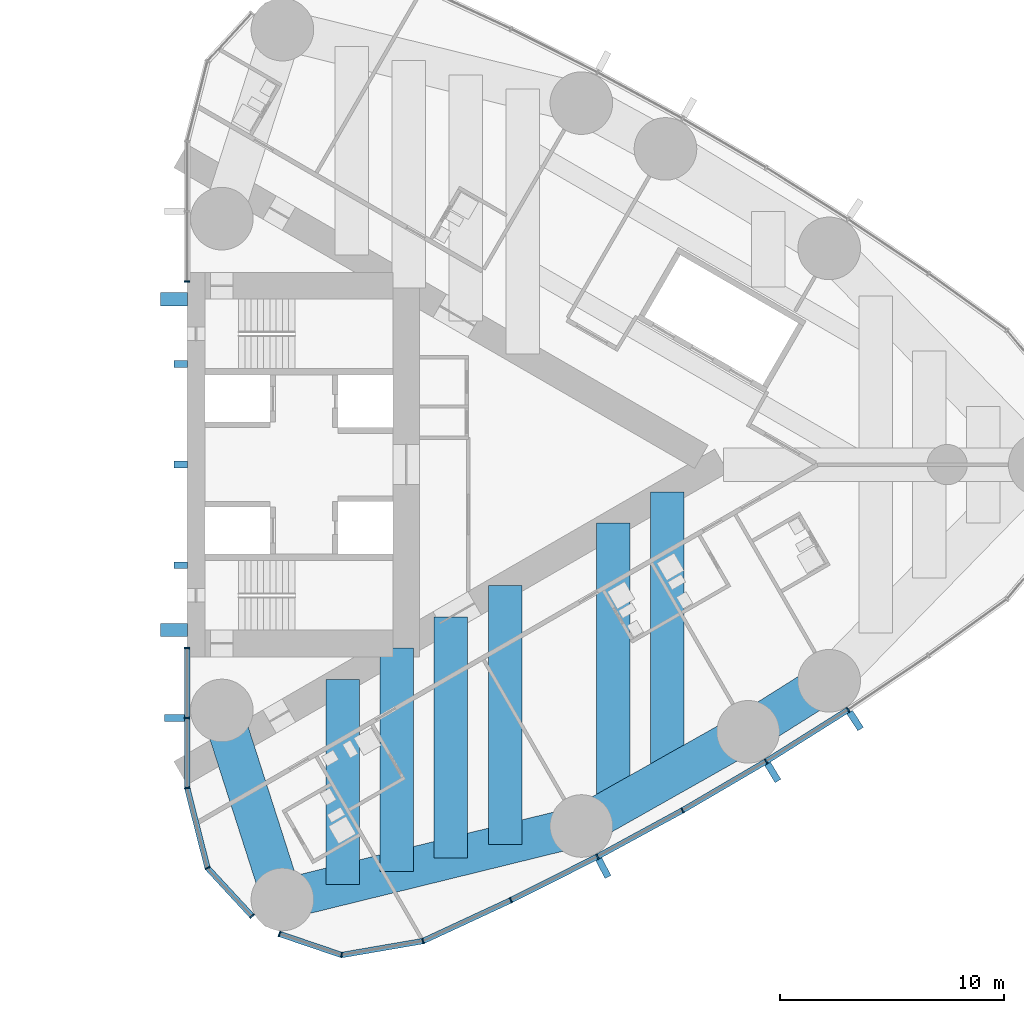
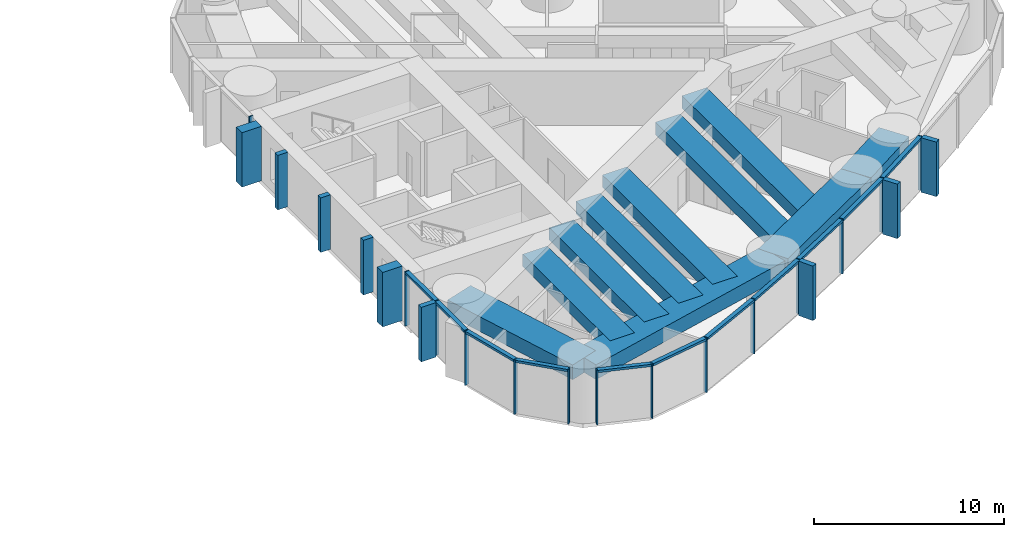
# One storey, part 6 of 19: 34 members, 10 beams, 3 elements without a shape of their own.
"""IFC4 building model written with IfcOpenShell, lengths in metres."""

from ifc_helpers import new_model, si_unit, direction, frame, origin, origin_2d, place, context, subcontext, project, spatial, rectangle, extrude, material, material_profile, profile_set, type_object, element, aggregate, save


model = new_model("IFC4")

# Units and contexts
model_context = context("Model", 3, precision=1e-05, world=origin(), true_north=direction((0.0, 1.0)))
body_context = subcontext(model_context, "Body", "Model", "MODEL_VIEW")
ifc_project = project(units=[si_unit("LENGTHUNIT", "METRE"), si_unit("AREAUNIT", "SQUARE_METRE"), si_unit("VOLUMEUNIT", "CUBIC_METRE"), si_unit("PLANEANGLEUNIT", "RADIAN"), si_unit("MASSUNIT", "GRAM", prefix="KILO")], contexts=[model_context])

# Site, building, storey
site_placement = place(None, origin())
site = spatial("IfcSite", under=ifc_project, at=site_placement, CompositionType="ELEMENT")
building_placement = place(site_placement, origin())
building = spatial("IfcBuilding", under=site, at=building_placement, Name="Lancet Gate Hotel", CompositionType="ELEMENT")
storey_placement = place(building_placement, frame((0.0, 0.0, 173.800048828125)))
storey = spatial("IfcBuildingStorey", under=building, at=storey_placement, Name="L46", CompositionType="ELEMENT", Elevation=173.800048828125)

# Curtain wall, members
ifc_material_1 = material(Name="Aluminium curtain wall", Category="aluminium")
curtain_wall_type = type_object("IfcCurtainWallType", Name="Tower unitised curtain wall", PredefinedType="USERDEFINED", material=ifc_material_1)
curtain_wall_1_placement = place(storey_placement, origin())
curtain_wall_1 = element("IfcCurtainWall", 1, at=curtain_wall_1_placement, inside=storey, type_object=curtain_wall_type, Name="T2 L46 curtain wall 1", ObjectType="UNITISED CURTAIN WALL", PredefinedType="USERDEFINED")
ifc_material_2 = material(Name="Aluminium mullion", Category="aluminium")
ifc_material_profile_1 = material_profile(ifc_material_2, rectangle(XDim=0.06494140625, YDim=0.25, at=origin_2d()), Name="MULLION 65x250")
ifc_profile_set_1 = profile_set([ifc_material_profile_1], Name="Aluminium mullion")
member_type_1 = type_object("IfcMemberType", Name="Aluminium mullion 65x250", PredefinedType="MULLION", material=ifc_profile_set_1)
member_1_placement = place(storey_placement, frame((27.5, -8.199951171875, 0.0), z_axis=(0.0, 0.0, 1.0), x_axis=(0.0, -1.0, 0.0)))
member_1 = element("IfcMember", 2, at=member_1_placement, type_object=member_type_1, Name="T2 L46 curtain wall 1 mullion 1", PredefinedType="MULLION", context=body_context, shape_type="SweptSolid", body=[
    extrude(rectangle(XDim=0.06494140625, YDim=0.25, at=origin_2d()), origin(), (0.0, 0.0, 1.0), 3.5),
])
member_2_placement = place(storey_placement, frame((27.5, -11.332763671875, 0.0), z_axis=(0.0, 0.0, 1.0), x_axis=(0.0, -1.0, 0.0)))
member_2 = element("IfcMember", 3, at=member_2_placement, type_object=member_type_1, Name="T2 L46 curtain wall 1 mullion 2", PredefinedType="MULLION", context=body_context, shape_type="SweptSolid", body=[
    extrude(rectangle(XDim=0.06494140625, YDim=0.25, at=origin_2d()), origin(), (0.0, 0.0, 1.0), 3.5),
])
member_3_placement = place(storey_placement, frame((27.5, -14.465576171875, 0.0), z_axis=(0.0, 0.0, 1.0), x_axis=(0.134206524909, -0.990953383703, 0.0)))
member_3 = element("IfcMember", 4, at=member_3_placement, type_object=member_type_1, Name="T2 L46 curtain wall 1 mullion 3", PredefinedType="MULLION", context=body_context, shape_type="SweptSolid", body=[
    extrude(rectangle(XDim=0.06494140625, YDim=0.25, at=origin_2d()), origin(), (0.0, 0.0, 1.0), 3.5),
])
member_4_placement = place(storey_placement, frame((28.408935546875, -18.04443359375, 0.0), z_axis=(0.0, 0.0, 1.0), x_axis=(0.451505925065, -0.892268120932, 0.0)))
member_4 = element("IfcMember", 5, at=member_4_placement, type_object=member_type_1, Name="T2 L46 curtain wall 1 mullion 4", PredefinedType="MULLION", context=body_context, shape_type="SweptSolid", body=[
    extrude(rectangle(XDim=0.06494140625, YDim=0.25, at=origin_2d()), origin(), (0.0, 0.0, 1.0), 3.5),
])
member_5_placement = place(storey_placement, frame((30.40185546875, -20.199951171875, 0.0), z_axis=(0.0, 0.0, 1.0), x_axis=(0.67883123083, -0.734294327943, 0.0)))
member_5 = element("IfcMember", 6, at=member_5_placement, type_object=member_type_1, Name="T2 L46 curtain wall 1 mullion 5", PredefinedType="MULLION", context=body_context, shape_type="SweptSolid", body=[
    extrude(rectangle(XDim=0.06494140625, YDim=0.25, at=origin_2d()), origin(), (0.0, 0.0, 1.0), 3.5),
])

curtain_wall_2_placement = place(storey_placement, origin())
curtain_wall_2 = element("IfcCurtainWall", 7, at=curtain_wall_2_placement, inside=storey, type_object=curtain_wall_type, Name="T2 L46 curtain wall 2", ObjectType="UNITISED CURTAIN WALL", PredefinedType="USERDEFINED")
member_6_placement = place(storey_placement, frame((31.631591796875, -20.998779296875, 0.0), z_axis=(0.0, 0.0, 1.0), x_axis=(0.946952368511, -0.321373943827, 0.0)))
member_6 = element("IfcMember", 8, at=member_6_placement, type_object=member_type_1, Name="T2 L46 curtain wall 2 mullion 1", PredefinedType="MULLION", context=body_context, shape_type="SweptSolid", body=[
    extrude(rectangle(XDim=0.06494140625, YDim=0.25, at=origin_2d()), origin(), (0.0, 0.0, 1.0), 3.5),
])
member_7_placement = place(storey_placement, frame((34.412109375, -21.9423828125, 0.0), z_axis=(0.0, 0.0, 1.0), x_axis=(0.99877556888, -0.049470829879, 0.0)))
member_7 = element("IfcMember", 9, at=member_7_placement, type_object=member_type_1, Name="T2 L46 curtain wall 2 mullion 2", PredefinedType="MULLION", context=body_context, shape_type="SweptSolid", body=[
    extrude(rectangle(XDim=0.06494140625, YDim=0.25, at=origin_2d()), origin(), (0.0, 0.0, 1.0), 3.5),
])
member_8_placement = place(storey_placement, frame((38.05126953125, -21.31689453125, 0.0), z_axis=(0.0, 0.0, 1.0), x_axis=(0.951355493327, 0.308095318555, 0.0)))
member_8 = element("IfcMember", 10, at=member_8_placement, type_object=member_type_1, Name="T2 L46 curtain wall 2 mullion 3", PredefinedType="MULLION", context=body_context, shape_type="SweptSolid", body=[
    extrude(rectangle(XDim=0.06494140625, YDim=0.25, at=origin_2d()), origin(), (0.0, 0.0, 1.0), 3.5),
])
member_9_placement = place(storey_placement, frame((41.98193359375, -19.490966796875, 0.0), z_axis=(0.0, 0.0, 1.0), x_axis=(0.900141333422, 0.435597956681, 0.0)))
member_9 = element("IfcMember", 11, at=member_9_placement, type_object=member_type_1, Name="T2 L46 curtain wall 2 mullion 4", PredefinedType="MULLION", context=body_context, shape_type="SweptSolid", body=[
    extrude(rectangle(XDim=0.06494140625, YDim=0.25, at=origin_2d()), origin(), (0.0, 0.0, 1.0), 3.5),
])
member_10_placement = place(storey_placement, frame((45.8525390625, -17.54150390625, 0.0), z_axis=(0.0, 0.0, 1.0), x_axis=(0.885877049989, 0.463920092584, 0.0)))
member_10 = element("IfcMember", 12, at=member_10_placement, type_object=member_type_1, Name="T2 L46 curtain wall 2 mullion 5", PredefinedType="MULLION", context=body_context, shape_type="SweptSolid", body=[
    extrude(rectangle(XDim=0.06494140625, YDim=0.25, at=origin_2d()), origin(), (0.0, 0.0, 1.0), 3.5),
])
member_11_placement = place(storey_placement, frame((49.65966796875, -15.47021484375, 0.0), z_axis=(0.0, 0.0, 1.0), x_axis=(0.870721916932, 0.491775704336, 0.0)))
member_11 = element("IfcMember", 13, at=member_11_placement, type_object=member_type_1, Name="T2 L46 curtain wall 2 mullion 6", PredefinedType="MULLION", context=body_context, shape_type="SweptSolid", body=[
    extrude(rectangle(XDim=0.06494140625, YDim=0.25, at=origin_2d()), origin(), (0.0, 0.0, 1.0), 3.5),
])
member_12_placement = place(storey_placement, frame((53.39892578125, -13.279541015625, 0.0), z_axis=(0.0, 0.0, 1.0), x_axis=(0.854691174453, 0.519136779965, 0.0)))
member_12 = element("IfcMember", 14, at=member_12_placement, type_object=member_type_1, Name="T2 L46 curtain wall 2 mullion 7", PredefinedType="MULLION", context=body_context, shape_type="SweptSolid", body=[
    extrude(rectangle(XDim=0.06494140625, YDim=0.25, at=origin_2d()), origin(), (0.0, 0.0, 1.0), 3.5),
])
member_13_placement = place(storey_placement, frame((57.067138671875, -10.970947265625, 0.0), z_axis=(0.0, 0.0, 1.0), x_axis=(0.837800943278, 0.545975804815, 0.0)))
member_13 = element("IfcMember", 15, at=member_13_placement, type_object=member_type_1, Name="T2 L46 curtain wall 2 mullion 8", PredefinedType="MULLION", context=body_context, shape_type="SweptSolid", body=[
    extrude(rectangle(XDim=0.06494140625, YDim=0.25, at=origin_2d()), origin(), (0.0, 0.0, 1.0), 3.5),
])

# Curtain wall, member
curtain_wall_3_placement = place(storey_placement, origin())
curtain_wall_3 = element("IfcCurtainWall", 16, at=curtain_wall_3_placement, inside=storey, type_object=curtain_wall_type, Name="T2 L46 curtain wall 4", ObjectType="UNITISED CURTAIN WALL", PredefinedType="USERDEFINED")
member_14_placement = place(storey_placement, frame((27.5, 8.199951171875, 0.0), z_axis=(0.0, 0.0, 1.0), x_axis=(0.0, -1.0, 0.0)))
member_14 = element("IfcMember", 17, at=member_14_placement, type_object=member_type_1, Name="T2 L46 curtain wall 4 mullion 5", PredefinedType="MULLION", context=body_context, shape_type="SweptSolid", body=[
    extrude(rectangle(XDim=0.06494140625, YDim=0.25, at=origin_2d()), origin(), (0.0, 0.0, 1.0), 3.5),
])
aggregate(curtain_wall_3, [member_14])

# Member
ifc_material_3 = material(Name="Aluminium transom", Category="aluminium")
ifc_material_profile_2 = material_profile(ifc_material_3, rectangle(XDim=0.25, YDim=0.14990234375, at=origin_2d()), Name="TRANSOM 250x150")
ifc_profile_set_2 = profile_set([ifc_material_profile_2], Name="Aluminium transom")
member_type_2 = type_object("IfcMemberType", Name="Aluminium transom 250x150", PredefinedType="USERDEFINED", material=ifc_profile_set_2)
member_15_placement = place(storey_placement, frame((27.5, -8.232421875, 3.425048828125), z_axis=(0.0, -1.0, 0.0), x_axis=(1.0, 0.0, 0.0)))
member_15 = element("IfcMember", 18, at=member_15_placement, type_object=member_type_2, Name="T2 L46 curtain wall 1 transom 1", ObjectType="TRANSOM", PredefinedType="USERDEFINED", context=body_context, shape_type="SweptSolid", body=[
    extrude(rectangle(XDim=0.25, YDim=0.14990234375, at=origin_2d()), origin(), (0.0, 0.0, 1.0), 3.06787109375),
])

member_16_placement = place(storey_placement, frame((27.5, -11.365234375, 3.425048828125), z_axis=(0.0, -1.0, 0.0), x_axis=(1.0, 0.0, 0.0)))
member_16 = element("IfcMember", 19, at=member_16_placement, type_object=member_type_2, Name="T2 L46 curtain wall 1 transom 2", ObjectType="TRANSOM", PredefinedType="USERDEFINED", context=body_context, shape_type="SweptSolid", body=[
    extrude(rectangle(XDim=0.25, YDim=0.14990234375, at=origin_2d()), origin(), (0.0, 0.0, 1.0), 3.06787109375),
])

member_17_placement = place(storey_placement, frame((27.508056640625, -14.4970703125, 3.425048828125), z_axis=(0.246128756616, -0.969237140831, 0.0), x_axis=(0.969237140831, 0.246128756616, 0.0)))
member_17 = element("IfcMember", 20, at=member_17_placement, type_object=member_type_2, Name="T2 L46 curtain wall 1 transom 3", ObjectType="TRANSOM", PredefinedType="USERDEFINED", context=body_context, shape_type="SweptSolid", body=[
    extrude(rectangle(XDim=0.25, YDim=0.14990234375, at=origin_2d()), origin(), (0.0, 0.0, 1.0), 3.62744140625),
])

member_18_placement = place(storey_placement, frame((28.43115234375, -18.068359375, 3.425048828125), z_axis=(0.678792146129, -0.734330458549, 0.0), x_axis=(0.734330458549, 0.678792146129, 0.0)))
member_18 = element("IfcMember", 21, at=member_18_placement, type_object=member_type_2, Name="T2 L46 curtain wall 1 transom 4", ObjectType="TRANSOM", PredefinedType="USERDEFINED", context=body_context, shape_type="SweptSolid", body=[
    extrude(rectangle(XDim=0.25, YDim=0.14990234375, at=origin_2d()), origin(), (0.0, 0.0, 1.0), 2.87060546875),
])

member_19_placement = place(storey_placement, frame((31.662353515625, -21.00927734375, 3.425048828125), z_axis=(0.946943122832, -0.321401185625, 0.0), x_axis=(0.321401185625, 0.946943122832, 0.0)))
member_19 = element("IfcMember", 22, at=member_19_placement, type_object=member_type_2, Name="T2 L46 curtain wall 2 transom 1", ObjectType="TRANSOM", PredefinedType="USERDEFINED", context=body_context, shape_type="SweptSolid", body=[
    extrude(rectangle(XDim=0.25, YDim=0.14990234375, at=origin_2d()), origin(), (0.0, 0.0, 1.0), 2.871337890625),
])

member_20_placement = place(storey_placement, frame((34.444091796875, -21.93701171875, 3.425048828125), z_axis=(0.985536950873, 0.169460669373, 0.0), x_axis=(-0.169460669373, 0.985536950873, 0.0)))
member_20 = element("IfcMember", 23, at=member_20_placement, type_object=member_type_2, Name="T2 L46 curtain wall 2 transom 2", ObjectType="TRANSOM", PredefinedType="USERDEFINED", context=body_context, shape_type="SweptSolid", body=[
    extrude(rectangle(XDim=0.25, YDim=0.14990234375, at=origin_2d()), origin(), (0.0, 0.0, 1.0), 3.627685546875),
])

member_21_placement = place(storey_placement, frame((38.080810546875, -21.30322265625, 3.425048828125), z_axis=(0.906913768492, 0.421316290357, 0.0), x_axis=(-0.421316290357, 0.906913768492, 0.0)))
member_21 = element("IfcMember", 24, at=member_21_placement, type_object=member_type_2, Name="T2 L46 curtain wall 2 transom 3", ObjectType="TRANSOM", PredefinedType="USERDEFINED", context=body_context, shape_type="SweptSolid", body=[
    extrude(rectangle(XDim=0.25, YDim=0.14990234375, at=origin_2d()), origin(), (0.0, 0.0, 1.0), 4.26904296875),
])

member_22_placement = place(storey_placement, frame((42.010986328125, -19.476318359375, 3.425048828125), z_axis=(0.893130969207, 0.449796700571, 0.0), x_axis=(-0.449796700571, 0.893130969207, 0.0)))
member_22 = element("IfcMember", 25, at=member_22_placement, type_object=member_type_2, Name="T2 L46 curtain wall 2 transom 4", ObjectType="TRANSOM", PredefinedType="USERDEFINED", context=body_context, shape_type="SweptSolid", body=[
    extrude(rectangle(XDim=0.25, YDim=0.14990234375, at=origin_2d()), origin(), (0.0, 0.0, 1.0), 4.26904296875),
])

member_23_placement = place(storey_placement, frame((45.881103515625, -17.526123046875, 3.425048828125), z_axis=(0.878404302735, 0.477918278513, 0.0), x_axis=(-0.477918278513, 0.878404302735, 0.0)))
member_23 = element("IfcMember", 26, at=member_23_placement, type_object=member_type_2, Name="T2 L46 curtain wall 2 transom 5", ObjectType="TRANSOM", PredefinedType="USERDEFINED", context=body_context, shape_type="SweptSolid", body=[
    extrude(rectangle(XDim=0.25, YDim=0.14990234375, at=origin_2d()), origin(), (0.0, 0.0, 1.0), 4.26904296875),
])

member_24_placement = place(storey_placement, frame((49.687744140625, -15.453857421875, 3.425048828125), z_axis=(0.862825279032, 0.505502262966, 0.0), x_axis=(-0.505502262966, 0.862825279032, 0.0)))
member_24 = element("IfcMember", 27, at=member_24_placement, type_object=member_type_2, Name="T2 L46 curtain wall 2 transom 6", ObjectType="TRANSOM", PredefinedType="USERDEFINED", context=body_context, shape_type="SweptSolid", body=[
    extrude(rectangle(XDim=0.25, YDim=0.14990234375, at=origin_2d()), origin(), (0.0, 0.0, 1.0), 4.26904296875),
])

member_25_placement = place(storey_placement, frame((53.426513671875, -13.26220703125, 3.425048828125), z_axis=(0.846333101657, 0.532653997488, 0.0), x_axis=(-0.532653997488, 0.846333101657, 0.0)))
member_25 = element("IfcMember", 28, at=member_25_placement, type_object=member_type_2, Name="T2 L46 curtain wall 2 transom 7", ObjectType="TRANSOM", PredefinedType="USERDEFINED", context=body_context, shape_type="SweptSolid", body=[
    extrude(rectangle(XDim=0.25, YDim=0.14990234375, at=origin_2d()), origin(), (0.0, 0.0, 1.0), 4.26904296875),
])

# Beams
ifc_material_4 = material(Name="Concrete C50/60", Category="concrete")
ifc_material_profile_3 = material_profile(ifc_material_4, rectangle(XDim=1.800048828125, YDim=0.949951171875, at=origin_2d()), Name="RC 1800x950")
ifc_profile_set_3 = profile_set([ifc_material_profile_3], Name="Concrete C50/60")
beam_type_1 = type_object("IfcBeamType", Name="Edge beam RC 1800x950", PredefinedType="SPANDREL", material=ifc_profile_set_3)
beam_1_placement = place(storey_placement, frame((31.759765625, -19.455810546875, 2.77490234375), z_axis=(0.971093253227, 0.238700426344, 0.0), x_axis=(-0.238700426344, 0.971093253227, 0.0)))
element("IfcBeam", 29, at=beam_1_placement, inside=storey, type_object=beam_type_1, Name="T2 edge beam EB1 L46", PredefinedType="SPANDREL", context=body_context, shape_type="SweptSolid", body=[
    extrude(rectangle(XDim=1.800048828125, YDim=0.949951171875, at=origin_2d()), origin(), (0.0, 0.0, 1.0), 13.77197265625),
])
beam_2_placement = place(storey_placement, frame((45.133544921875, -16.16845703125, 2.77490234375), z_axis=(0.870721990329, 0.491775574381, 0.0), x_axis=(-0.491775574381, 0.870721990329, 0.0)))
element("IfcBeam", 30, at=beam_2_placement, inside=storey, type_object=beam_type_1, Name="T2 edge beam EB1 L46", PredefinedType="SPANDREL", context=body_context, shape_type="SweptSolid", body=[
    extrude(rectangle(XDim=1.800048828125, YDim=0.949951171875, at=origin_2d()), origin(), (0.0, 0.0, 1.0), 8.568603515625),
])
beam_3_placement = place(storey_placement, frame((52.594482421875, -11.95458984375, 2.77490234375), z_axis=(0.846348902569, 0.532628890617, 0.0), x_axis=(-0.532628890617, 0.846348902569, 0.0)))
element("IfcBeam", 31, at=beam_3_placement, inside=storey, type_object=beam_type_1, Name="T2 edge beam EB1 L46", PredefinedType="SPANDREL", context=body_context, shape_type="SweptSolid", body=[
    extrude(rectangle(XDim=1.800048828125, YDim=0.949951171875, at=origin_2d()), origin(), (0.0, 0.0, 1.0), 4.284912109375),
])
beam_4_placement = place(storey_placement, frame((31.759765625, -19.455810546875, 2.77490234375), z_axis=(-0.305169772986, 0.952297962644, 0.0), x_axis=(-0.952297962644, -0.305169772986, 0.0)))
element("IfcBeam", 32, at=beam_4_placement, inside=storey, type_object=beam_type_1, Name="T2 edge beam EB1 L46", PredefinedType="SPANDREL", context=body_context, shape_type="SweptSolid", body=[
    extrude(rectangle(XDim=1.800048828125, YDim=0.949951171875, at=origin_2d()), origin(), (0.0, 0.0, 1.0), 8.87939453125),
])

# Members
ifc_material_5 = material(Name="Concrete C60/75", Category="concrete")
ifc_material_profile_4 = material_profile(ifc_material_5, rectangle(XDim=0.60009765625, YDim=1.199951171875, at=origin_2d()), Name="FIN 600x1200")
ifc_profile_set_4 = profile_set([ifc_material_profile_4], Name="Concrete C60/75")
member_type_3 = type_object("IfcMemberType", Name="Exposed concrete buttress pilaster 600x1200", PredefinedType="USERDEFINED", material=ifc_profile_set_4)
for number, where, z_axis, x_axis, name in (
    (33, (26.909912109375, -7.39990234375, 0.0), (0.0, 0.0, 1.0), (0.0, 1.0, 0.0), "T2 buttress pilaster S L46"),
    (34, (26.909912109375, 7.39990234375, 0.0), (0.0, 0.0, 1.0), (0.0, 1.0, 0.0), "T2 buttress pilaster N L46"),
):
    element("IfcMember", number, at=place(storey_placement, frame(where, z_axis=z_axis, x_axis=x_axis)), inside=storey, type_object=member_type_3, Name=name, ObjectType="FIN", PredefinedType="USERDEFINED", context=body_context, shape_type="SweptSolid", body=[
        extrude(rectangle(XDim=0.60009765625, YDim=1.199951171875, at=origin_2d()), origin(), (0.0, 0.0, 1.0), 3.5),
    ])

# Member
ifc_material_6 = material(Name="Precast concrete C50/60", Category="concrete")
ifc_material_profile_5 = material_profile(ifc_material_6, rectangle(XDim=0.300048828125, YDim=0.89990234375, at=origin_2d()), Name="FIN 300x900")
ifc_profile_set_5 = profile_set([ifc_material_profile_5], Name="Precast concrete C50/60")
member_type_4 = type_object("IfcMemberType", Name="Exposed concrete fin 300x900", PredefinedType="USERDEFINED", material=ifc_profile_set_5)
member_26_placement = place(storey_placement, frame((26.925048828125, -11.332763671875, 0.0), z_axis=(0.0, 0.0, 1.0), x_axis=(0.0, -1.0, 0.0)))
member_26 = element("IfcMember", 35, at=member_26_placement, type_object=member_type_4, Name="T2 L46 curtain wall 1 fin 2", ObjectType="FIN", PredefinedType="USERDEFINED", context=body_context, shape_type="SweptSolid", body=[
    extrude(rectangle(XDim=0.300048828125, YDim=0.89990234375, at=origin_2d()), origin(), (0.0, 0.0, 1.0), 3.5),
])

aggregate(curtain_wall_1, [member_1, member_2, member_26, member_3, member_4, member_5, member_15, member_16, member_17, member_18])

member_27_placement = place(storey_placement, frame((46.119384765625, -18.051025390625, 0.0), z_axis=(0.0, 0.0, 1.0), x_axis=(0.885877049989, 0.463920092584, 0.0)))
member_27 = element("IfcMember", 36, at=member_27_placement, type_object=member_type_4, Name="T2 L46 curtain wall 2 fin 5", ObjectType="FIN", PredefinedType="USERDEFINED", context=body_context, shape_type="SweptSolid", body=[
    extrude(rectangle(XDim=0.300048828125, YDim=0.89990234375, at=origin_2d()), origin(), (0.0, 0.0, 1.0), 3.5),
])

member_28_placement = place(storey_placement, frame((53.697509765625, -13.770751953125, 0.0), z_axis=(0.0, 0.0, 1.0), x_axis=(0.854691174453, 0.519136779965, 0.0)))
member_28 = element("IfcMember", 37, at=member_28_placement, type_object=member_type_4, Name="T2 L46 curtain wall 2 fin 7", ObjectType="FIN", PredefinedType="USERDEFINED", context=body_context, shape_type="SweptSolid", body=[
    extrude(rectangle(XDim=0.300048828125, YDim=0.89990234375, at=origin_2d()), origin(), (0.0, 0.0, 1.0), 3.5),
])

member_29_placement = place(storey_placement, frame((57.381103515625, -11.452880859375, 0.0), z_axis=(0.0, 0.0, 1.0), x_axis=(0.837800943278, 0.545975804815, 0.0)))
member_29 = element("IfcMember", 38, at=member_29_placement, type_object=member_type_4, Name="T2 L46 curtain wall 2 fin 8", ObjectType="FIN", PredefinedType="USERDEFINED", context=body_context, shape_type="SweptSolid", body=[
    extrude(rectangle(XDim=0.300048828125, YDim=0.89990234375, at=origin_2d()), origin(), (0.0, 0.0, 1.0), 3.5),
])

aggregate(curtain_wall_2, [member_6, member_7, member_8, member_9, member_10, member_27, member_11, member_12, member_28, member_13, member_29, member_19, member_20, member_21, member_22, member_23, member_24, member_25])

# Members
ifc_material_7 = material(Name="Concrete C60/75", Category="concrete")
ifc_material_profile_6 = material_profile(ifc_material_7, rectangle(XDim=0.300048828125, YDim=0.60009765625, at=origin_2d()), Name="FIN 300x600")
ifc_profile_set_6 = profile_set([ifc_material_profile_6], Name="Concrete C60/75")
member_type_5 = type_object("IfcMemberType", Name="Exposed concrete rib 300x600", PredefinedType="USERDEFINED", material=ifc_profile_set_6)
for number, where, z_axis, x_axis, name in (
    (39, (27.2099609375, -4.5, 0.0), (0.0, 0.0, 1.0), (0.0, 1.0, 0.0), "T2 core rib 1 L46"),
    (40, (27.2099609375, 0.0, 0.0), (0.0, 0.0, 1.0), (0.0, 1.0, 0.0), "T2 core rib 2 L46"),
    (41, (27.2099609375, 4.5, 0.0), (0.0, 0.0, 1.0), (0.0, 1.0, 0.0), "T2 core rib 3 L46"),
):
    element("IfcMember", number, at=place(storey_placement, frame(where, z_axis=z_axis, x_axis=x_axis)), inside=storey, type_object=member_type_5, Name=name, ObjectType="FIN", PredefinedType="USERDEFINED", context=body_context, shape_type="SweptSolid", body=[
        extrude(rectangle(XDim=0.300048828125, YDim=0.60009765625, at=origin_2d()), origin(), (0.0, 0.0, 1.0), 3.5),
    ])

# Beams
ifc_material_8 = material(Name="Concrete C50/60", Category="concrete")
ifc_material_profile_7 = material_profile(ifc_material_8, rectangle(XDim=1.5, YDim=0.800048828125, at=origin_2d()), Name="RC 1500x800")
ifc_profile_set_7 = profile_set([ifc_material_profile_7], Name="Concrete C50/60")
beam_type_2 = type_object("IfcBeamType", Name="Floor beam RC 1500x800", PredefinedType="BEAM", material=ifc_profile_set_7)
beam_5_placement = place(storey_placement, frame((34.460693359375, -18.7919921875, 2.849853515625), z_axis=(0.0, 1.0, 0.0), x_axis=(-1.0, 0.0, 0.0)))
element("IfcBeam", 42, at=beam_5_placement, inside=storey, type_object=beam_type_2, Name="T2 floor beam F01S L46", PredefinedType="BEAM", context=body_context, shape_type="SweptSolid", body=[
    extrude(rectangle(XDim=1.5, YDim=0.800048828125, at=origin_2d()), origin(), (0.0, 0.0, 1.0), 9.18408203125),
])
beam_6_placement = place(storey_placement, frame((36.880859375, -18.197021484375, 2.849853515625), z_axis=(0.0, 1.0, 0.0), x_axis=(-1.0, 0.0, 0.0)))
element("IfcBeam", 43, at=beam_6_placement, inside=storey, type_object=beam_type_2, Name="T2 floor beam F03S L46", PredefinedType="BEAM", context=body_context, shape_type="SweptSolid", body=[
    extrude(rectangle(XDim=1.5, YDim=0.800048828125, at=origin_2d()), origin(), (0.0, 0.0, 1.0), 9.986328125),
])
beam_7_placement = place(storey_placement, frame((39.301025390625, -17.60205078125, 2.849853515625), z_axis=(0.0, 1.0, 0.0), x_axis=(-1.0, 0.0, 0.0)))
element("IfcBeam", 44, at=beam_7_placement, inside=storey, type_object=beam_type_2, Name="T2 floor beam F05S L46", PredefinedType="BEAM", context=body_context, shape_type="SweptSolid", body=[
    extrude(rectangle(XDim=1.5, YDim=0.800048828125, at=origin_2d()), origin(), (0.0, 0.0, 1.0), 10.78857421875),
])
beam_8_placement = place(storey_placement, frame((41.721435546875, -17.007080078125, 2.849853515625), z_axis=(0.0, 1.0, 0.0), x_axis=(-1.0, 0.0, 0.0)))
element("IfcBeam", 45, at=beam_8_placement, inside=storey, type_object=beam_type_2, Name="T2 floor beam F07S L46", PredefinedType="BEAM", context=body_context, shape_type="SweptSolid", body=[
    extrude(rectangle(XDim=1.5, YDim=0.800048828125, at=origin_2d()), origin(), (0.0, 0.0, 1.0), 11.591064453125),
])
beam_9_placement = place(storey_placement, frame((46.561767578125, -15.36181640625, 2.849853515625), z_axis=(0.0, 1.0, 0.0), x_axis=(-1.0, 0.0, 0.0)))
element("IfcBeam", 46, at=beam_9_placement, inside=storey, type_object=beam_type_2, Name="T2 floor beam F09S L46", PredefinedType="BEAM", context=body_context, shape_type="SweptSolid", body=[
    extrude(rectangle(XDim=1.5, YDim=0.800048828125, at=origin_2d()), origin(), (0.0, 0.0, 1.0), 12.740478515625),
])
beam_10_placement = place(storey_placement, frame((48.98193359375, -13.994873046875, 2.849853515625), z_axis=(0.0, 1.0, 0.0), x_axis=(-1.0, 0.0, 0.0)))
element("IfcBeam", 47, at=beam_10_placement, inside=storey, type_object=beam_type_2, Name="T2 floor beam F10S L46", PredefinedType="BEAM", context=body_context, shape_type="SweptSolid", body=[
    extrude(rectangle(XDim=1.5, YDim=0.800048828125, at=origin_2d()), origin(), (0.0, 0.0, 1.0), 12.770751953125),
])

save(model, "model.ifc")
